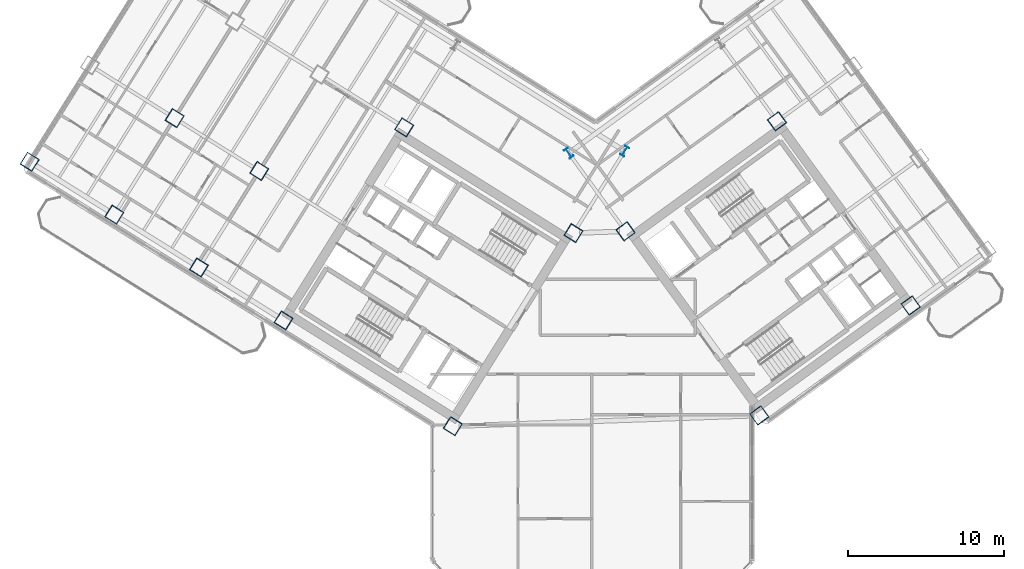
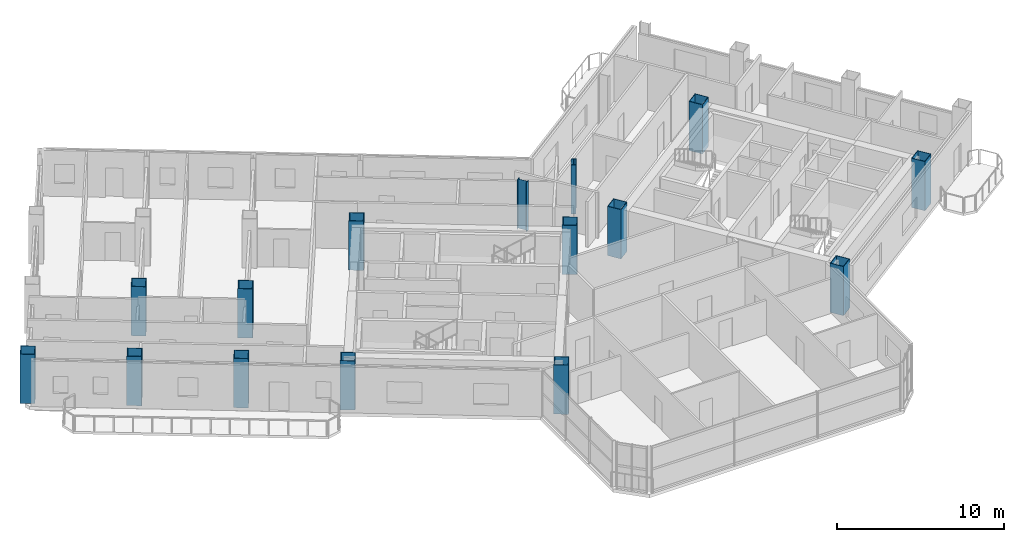
# One storey, part 1 of 21: 15 columns.
"""IFC4 building model written with IfcOpenShell, lengths in metres."""

from ifc_helpers import new_model, si_unit, direction, frame, origin, origin_2d, place, context, subcontext, project, spatial, hollow_rectangle, i_section, extrude, source, transform, mapped, material, material_profile, profile_set, type_object, element, save


model = new_model("IFC4")

# Units and contexts
model_context = context("Model", 3, precision=1e-05, world=origin(), true_north=direction((0.0, 1.0)))
body_context = subcontext(model_context, "Body", "Model", "MODEL_VIEW")
ifc_project = project(units=[si_unit("LENGTHUNIT", "METRE"), si_unit("AREAUNIT", "SQUARE_METRE"), si_unit("VOLUMEUNIT", "CUBIC_METRE"), si_unit("PLANEANGLEUNIT", "RADIAN"), si_unit("MASSUNIT", "GRAM", prefix="KILO")], contexts=[model_context])

# Site, building, storey
site_placement = place(None, origin())
site = spatial("IfcSite", under=ifc_project, at=site_placement, CompositionType="ELEMENT")
building_placement = place(site_placement, origin())
building = spatial("IfcBuilding", under=site, at=building_placement, Name="Tlacorven Tower", CompositionType="ELEMENT")
storey_placement = place(building_placement, frame((0.0, 0.0, 105.300048828125)))
storey = spatial("IfcBuildingStorey", under=building, at=storey_placement, Name="L26", CompositionType="ELEMENT", Elevation=105.300048828125)

# Columns
ifc_material = material(Name="Steel S460M", Category="steel")
ifc_material_profile_1 = material_profile(ifc_material, i_section(OverallWidth=0.300048828125, OverallDepth=0.64990234375, WebThickness=0.01611328125, FlangeThickness=0.031005859375, at=origin_2d()), Name="HEB 650")
ifc_profile_set_1 = profile_set([ifc_material_profile_1], Name="Steel S460M")
column_type_1 = type_object("IfcColumnType", Name="COL-TWR-P1", PredefinedType="COLUMN", material=ifc_profile_set_1)
shared_shape_1 = source(origin(), body_context, "Body", "SweptSolid", [
    extrude(i_section(OverallWidth=0.300048828125, OverallDepth=0.64990234375, WebThickness=0.01611328125, FlangeThickness=0.031005859375, at=origin_2d()), origin(), (0.0, 0.0, 1.0), 3.599853515625),
])
for number, where, z_axis, x_axis, name in (
    (1, (44.068359375, 29.726318359375, 0.0), (0.0, 0.0, 1.0), (-0.848048096156, 0.529919264233, 0.0), "L26 column COL-L26-W1-1"),
    (2, (40.4794921875, 29.60107421875, 0.0), (0.0, 0.0, 1.0), (0.809016994375, 0.587785252292, 0.0), "L26 column COL-L26-E1-4"),
):
    element("IfcColumn", number, at=place(storey_placement, frame(where, z_axis=z_axis, x_axis=x_axis)), inside=storey, type_object=column_type_1, Name=name, PredefinedType="COLUMN", context=body_context, shape_type="MappedRepresentation", body=[
        mapped(shared_shape_1, transform((0.0, 0.0, 0.0), scale=1.0)),
    ])
ifc_material_profile_2 = material_profile(ifc_material, hollow_rectangle(XDim=0.89990234375, YDim=0.89990234375, WallThickness=0.035888671875, at=origin_2d()), Name="BOX 900X900X36")
ifc_profile_set_2 = profile_set([ifc_material_profile_2], Name="Steel S460M")
column_type_2 = type_object("IfcColumnType", Name="COL-TWR-S2", PredefinedType="COLUMN", material=ifc_profile_set_2)
shared_shape_2 = source(origin(), body_context, "Body", "SweptSolid", [
    extrude(hollow_rectangle(XDim=0.89990234375, YDim=0.89990234375, WallThickness=0.035888671875, at=origin_2d()), origin(), (0.0, 0.0, 1.0), 3.599853515625),
])
for number, where, z_axis, x_axis, name in (
    (3, (40.782958984375, 24.468505859375, 0.0), (0.0, 0.0, 1.0), (-0.848048096156, 0.529919264233, 0.0), "L26 column COL-L26-W1-2"),
    (4, (33.046142578125, 12.0869140625, 0.0), (0.0, 0.0, 1.0), (-0.848048096156, 0.529919264233, 0.0), "L26 column COL-L26-W1-4"),
    (5, (29.927978515625, 31.25146484375, 0.0), (0.0, 0.0, 1.0), (-0.848048096156, 0.529919264233, 0.0), "L26 column COL-L26-W3-2"),
    (6, (22.191162109375, 18.869873046875, 0.0), (0.0, 0.0, 1.0), (-0.848048096156, 0.529919264233, 0.0), "L26 column COL-L26-W3-4"),
    (7, (20.632080078125, 28.4521484375, 0.0), (0.0, 0.0, 1.0), (-0.848048096156, 0.529919264233, 0.0), "L26 column COL-L26-W4-3"),
    (8, (16.763671875, 22.26123046875, 0.0), (0.0, 0.0, 1.0), (-0.848048096156, 0.529919264233, 0.0), "L26 column COL-L26-W4-4"),
    (9, (15.20458984375, 31.843505859375, 0.0), (0.0, 0.0, 1.0), (-0.848048096156, 0.529919264233, 0.0), "L26 column COL-L26-W5-3"),
    (10, (11.336181640625, 25.65283203125, 0.0), (0.0, 0.0, 1.0), (-0.848048096156, 0.529919264233, 0.0), "L26 column COL-L26-W5-4"),
    (11, (5.90869140625, 29.044189453125, 0.0), (0.0, 0.0, 1.0), (-0.848048096156, 0.529919264233, 0.0), "L26 column COL-L26-W6-4"),
    (12, (52.705322265625, 12.7734375, 0.0), (0.0, 0.0, 1.0), (0.809016994375, 0.587785252292, 0.0), "L26 column COL-L26-E1-1"),
    (13, (44.123779296875, 24.5849609375, 0.0), (0.0, 0.0, 1.0), (0.809016994375, 0.587785252292, 0.0), "L26 column COL-L26-E1-3"),
    (14, (62.41357421875, 19.826904296875, 0.0), (0.0, 0.0, 1.0), (0.809016994375, 0.587785252292, 0.0), "L26 column COL-L26-E3-1"),
    (15, (53.83203125, 31.638427734375, 0.0), (0.0, 0.0, 1.0), (0.809016994375, 0.587785252292, 0.0), "L26 column COL-L26-E3-3"),
):
    element("IfcColumn", number, at=place(storey_placement, frame(where, z_axis=z_axis, x_axis=x_axis)), inside=storey, type_object=column_type_2, Name=name, PredefinedType="COLUMN", context=body_context, shape_type="MappedRepresentation", body=[
        mapped(shared_shape_2, transform((0.0, 0.0, 0.0), scale=1.0)),
    ])

save(model, "model.ifc")
